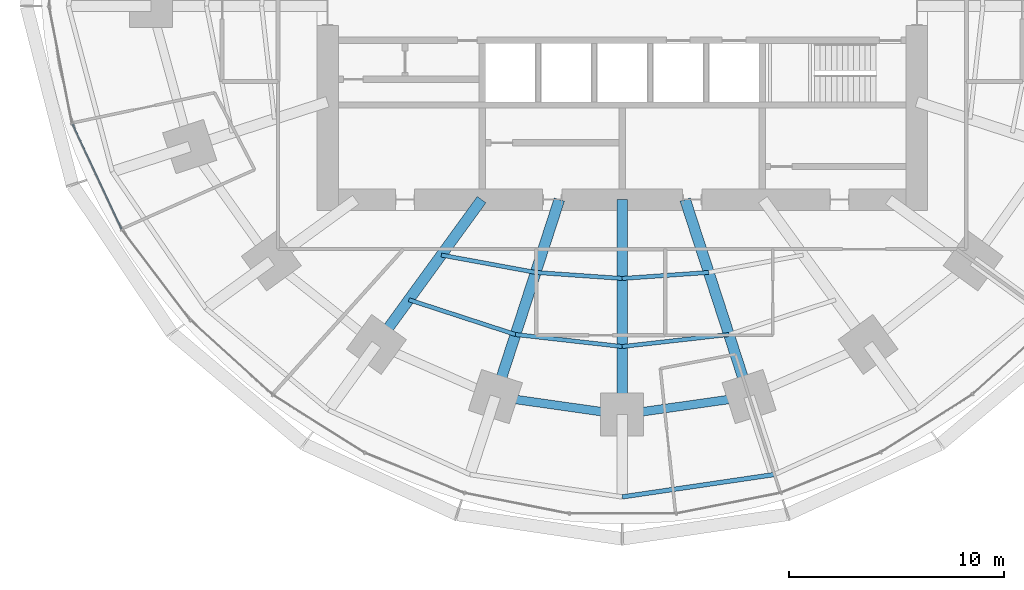
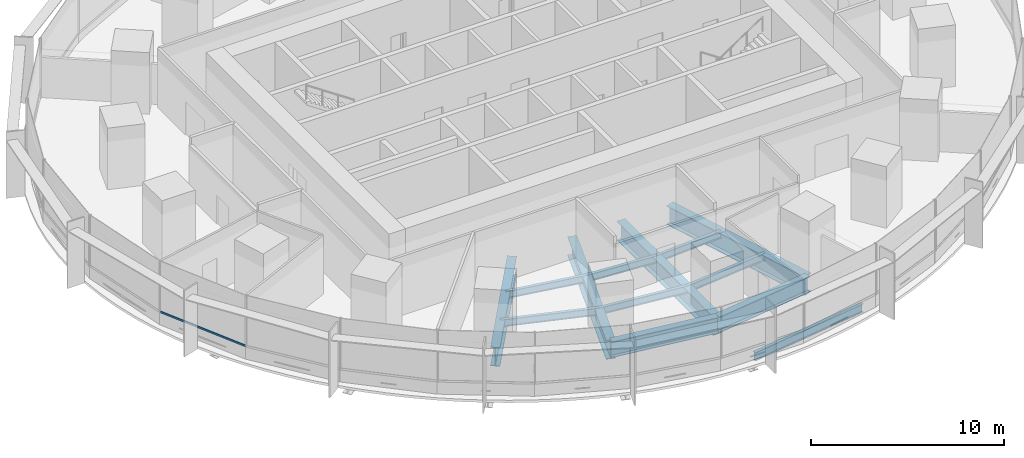
# One storey, part 3 of 15: 13 beams, 1 member, 1 element without a shape of its own.
"""IFC4 building model written with IfcOpenShell, lengths in metres."""

from ifc_helpers import new_model, si_unit, direction, frame, origin, origin_2d, place, context, subcontext, project, spatial, rectangle, i_section, extrude, material, material_profile, profile_set, type_object, element, aggregate, save


model = new_model("IFC4")

# Units and contexts
model_context = context("Model", 3, precision=1e-05, world=origin(), true_north=direction((0.0, 1.0)))
body_context = subcontext(model_context, "Body", "Model", "MODEL_VIEW")
ifc_project = project(units=[si_unit("LENGTHUNIT", "METRE"), si_unit("AREAUNIT", "SQUARE_METRE"), si_unit("VOLUMEUNIT", "CUBIC_METRE"), si_unit("PLANEANGLEUNIT", "RADIAN"), si_unit("MASSUNIT", "GRAM", prefix="KILO")], contexts=[model_context])

# Site, building, storey
site_placement = place(None, origin())
site = spatial("IfcSite", under=ifc_project, at=site_placement, CompositionType="ELEMENT")
building_placement = place(site_placement, origin())
building = spatial("IfcBuilding", under=site, at=building_placement, Name="Marramba Exchange Tower", CompositionType="ELEMENT")
storey_placement = place(building_placement, frame((0.0, 0.0, 70.0)))
storey = spatial("IfcBuildingStorey", under=building, at=storey_placement, Name="L16", CompositionType="ELEMENT", Elevation=70.0)

# Beams
ifc_material_1 = material(Name="Steel AS/NZS 3679.1 grade 300", Category="steel")
ifc_material_profile_1 = material_profile(ifc_material_1, i_section(OverallWidth=0.18994140625, OverallDepth=0.4541015625, WebThickness=0.008544921875, FlangeThickness=0.0126953125, FilletRadius=0.011474609375, at=origin_2d()), Name="460UB67.1")
ifc_profile_set_1 = profile_set([ifc_material_profile_1], Name="Steel AS/NZS 3679.1 grade 300")
beam_type_1 = type_object("IfcBeamType", Name="Floor joist 460UB67.1", PredefinedType="JOIST", material=ifc_profile_set_1)
beam_1_placement = place(storey_placement, frame((-8.41162109375, -11.57763671875, -0.386962890625), z_axis=(0.983455754421, -0.181148500119, 0.0), x_axis=(0.181148500119, 0.983455754421, 0.0)))
element("IfcBeam", 1, at=beam_1_placement, inside=storey, type_object=beam_type_1, Name="Joist L16 bay 14 row 1", PredefinedType="JOIST", context=body_context, shape_type="SweptSolid", body=[
    extrude(i_section(OverallWidth=0.18994140625, OverallDepth=0.4541015625, WebThickness=0.008544921875, FlangeThickness=0.0126953125, FilletRadius=0.011474609375, at=origin_2d()), origin(), (0.0, 0.0, 1.0), 4.4609375),
])
beam_2_placement = place(storey_placement, frame((-9.9208984375, -13.655029296875, -0.386962890625), z_axis=(0.950764024931, -0.309915744834, 0.0), x_axis=(0.309915744834, 0.950764024931, 0.0)))
element("IfcBeam", 2, at=beam_2_placement, inside=storey, type_object=beam_type_1, Name="Joist L16 bay 14 row 2", PredefinedType="JOIST", context=body_context, shape_type="SweptSolid", body=[
    extrude(i_section(OverallWidth=0.18994140625, OverallDepth=0.4541015625, WebThickness=0.008544921875, FlangeThickness=0.0126953125, FilletRadius=0.011474609375, at=origin_2d()), origin(), (0.0, 0.0, 1.0), 5.2158203125),
])
beam_3_placement = place(storey_placement, frame((-4.0244140625, -12.3857421875, -0.386962890625), z_axis=(0.99759625901, -0.069294328838, 0.0), x_axis=(0.069294328838, 0.99759625901, 0.0)))
element("IfcBeam", 3, at=beam_3_placement, inside=storey, type_object=beam_type_1, Name="Joist L16 bay 15 row 1", PredefinedType="JOIST", context=body_context, shape_type="SweptSolid", body=[
    extrude(i_section(OverallWidth=0.18994140625, OverallDepth=0.4541015625, WebThickness=0.008544921875, FlangeThickness=0.0126953125, FilletRadius=0.011474609375, at=origin_2d()), origin(), (0.0, 0.0, 1.0), 4.0341796875),
])
beam_4_placement = place(storey_placement, frame((-4.9619140625, -15.271484375, -0.386962890625), z_axis=(0.993712018573, -0.111966174106, 0.0), x_axis=(0.111966174106, 0.993712018573, 0.0)))
element("IfcBeam", 4, at=beam_4_placement, inside=storey, type_object=beam_type_1, Name="Joist L16 bay 15 row 2", PredefinedType="JOIST", context=body_context, shape_type="SweptSolid", body=[
    extrude(i_section(OverallWidth=0.18994140625, OverallDepth=0.4541015625, WebThickness=0.008544921875, FlangeThickness=0.0126953125, FilletRadius=0.011474609375, at=origin_2d()), origin(), (0.0, 0.0, 1.0), 4.993408203125),
])
beam_5_placement = place(storey_placement, frame((0.0, -12.665283203125, -0.386962890625), z_axis=(0.99759625901, 0.069294328838, 0.0), x_axis=(-0.069294328838, 0.99759625901, 0.0)))
element("IfcBeam", 5, at=beam_5_placement, inside=storey, type_object=beam_type_1, Name="Joist L16 bay 16 row 1", PredefinedType="JOIST", context=body_context, shape_type="SweptSolid", body=[
    extrude(i_section(OverallWidth=0.18994140625, OverallDepth=0.4541015625, WebThickness=0.008544921875, FlangeThickness=0.0126953125, FilletRadius=0.011474609375, at=origin_2d()), origin(), (0.0, 0.0, 1.0), 4.0341796875),
])
beam_6_placement = place(storey_placement, frame((0.0, -15.83056640625, -0.386962890625), z_axis=(0.993712018573, 0.111966174106, 0.0), x_axis=(-0.111966174106, 0.993712018573, 0.0)))
element("IfcBeam", 6, at=beam_6_placement, inside=storey, type_object=beam_type_1, Name="Joist L16 bay 16 row 2", PredefinedType="JOIST", context=body_context, shape_type="SweptSolid", body=[
    extrude(i_section(OverallWidth=0.18994140625, OverallDepth=0.4541015625, WebThickness=0.008544921875, FlangeThickness=0.0126953125, FilletRadius=0.011474609375, at=origin_2d()), origin(), (0.0, 0.0, 1.0), 4.993408203125),
])
ifc_material_2 = material(Name="Steel AS/NZS 3679.2 grade 300", Category="steel")
ifc_material_profile_2 = material_profile(ifc_material_2, i_section(OverallWidth=0.5, OverallDepth=1.199951171875, WebThickness=0.01611328125, FlangeThickness=0.0400390625, at=origin_2d()), Name="1200WB455")
ifc_profile_set_2 = profile_set([ifc_material_profile_2], Name="Steel AS/NZS 3679.2 grade 300")
beam_type_2 = type_object("IfcBeamType", Name="Radial girder 1200WB455", PredefinedType="BEAM", material=ifc_profile_set_2)
beam_7_placement = place(storey_placement, frame((-6.538818359375, -9.0, -0.760009765625), z_axis=(-0.587787877172, -0.809015087282, 0.0), x_axis=(0.809015087282, -0.587787877172, 0.0)))
element("IfcBeam", 7, at=beam_7_placement, inside=storey, type_object=beam_type_2, Name="Radial girder L16 TC14", PredefinedType="BEAM", context=body_context, shape_type="SweptSolid", body=[
    extrude(i_section(OverallWidth=0.5, OverallDepth=1.199951171875, WebThickness=0.01611328125, FlangeThickness=0.0400390625, at=origin_2d()), origin(), (0.0, 0.0, 1.0), 8.322021484375),
])
beam_8_placement = place(storey_placement, frame((-2.92431640625, -9.0, -0.760009765625), z_axis=(-0.309022428985, -0.951054750466, 0.0), x_axis=(0.951054750466, -0.309022428985, 0.0)))
element("IfcBeam", 8, at=beam_8_placement, inside=storey, type_object=beam_type_2, Name="Radial girder L16 TC15", PredefinedType="BEAM", context=body_context, shape_type="SweptSolid", body=[
    extrude(i_section(OverallWidth=0.5, OverallDepth=1.199951171875, WebThickness=0.01611328125, FlangeThickness=0.0400390625, at=origin_2d()), origin(), (0.0, 0.0, 1.0), 9.628173828125),
])
beam_9_placement = place(storey_placement, frame((0.0, -9.0, -0.760009765625), z_axis=(0.0, -1.0, 0.0), x_axis=(1.0, 0.0, 0.0)))
element("IfcBeam", 9, at=beam_9_placement, inside=storey, type_object=beam_type_2, Name="Radial girder L16 TC16", PredefinedType="BEAM", context=body_context, shape_type="SweptSolid", body=[
    extrude(i_section(OverallWidth=0.5, OverallDepth=1.199951171875, WebThickness=0.01611328125, FlangeThickness=0.0400390625, at=origin_2d()), origin(), (0.0, 0.0, 1.0), 9.99609375),
])
beam_10_placement = place(storey_placement, frame((2.92431640625, -9.0, -0.760009765625), z_axis=(0.309022428985, -0.951054750466, 0.0), x_axis=(0.951054750466, 0.309022428985, 0.0)))
element("IfcBeam", 10, at=beam_10_placement, inside=storey, type_object=beam_type_2, Name="Radial girder L16 TC17", PredefinedType="BEAM", context=body_context, shape_type="SweptSolid", body=[
    extrude(i_section(OverallWidth=0.5, OverallDepth=1.199951171875, WebThickness=0.01611328125, FlangeThickness=0.0400390625, at=origin_2d()), origin(), (0.0, 0.0, 1.0), 9.628173828125),
])
ifc_material_profile_3 = material_profile(ifc_material_2, i_section(OverallWidth=0.39990234375, OverallDepth=1.0, WebThickness=0.01611328125, FlangeThickness=0.031982421875, at=origin_2d()), Name="1000WB322")
ifc_profile_set_3 = profile_set([ifc_material_profile_3], Name="Steel AS/NZS 3679.2 grade 300")
beam_type_3 = type_object("IfcBeamType", Name="Ring beam 1000WB322", PredefinedType="SPANDREL", material=ifc_profile_set_3)
for number, where, z_axis, x_axis, name in (
    (11, (-5.899658203125, -18.156982421875, -0.659912109375), (0.990036163016, -0.140813337152, 0.0), (0.140813337152, 0.990036163016, 0.0), "Ring beam L16 TC15-TC16"),
    (12, (0.0, -18.99609375, -0.659912109375), (0.990036163016, 0.140813337152, 0.0), (-0.140813337152, 0.990036163016, 0.0), "Ring beam L16 TC16-TC17"),
):
    element("IfcBeam", number, at=place(storey_placement, frame(where, z_axis=z_axis, x_axis=x_axis)), inside=storey, type_object=beam_type_3, Name=name, PredefinedType="SPANDREL", context=body_context, shape_type="SweptSolid", body=[
        extrude(i_section(OverallWidth=0.39990234375, OverallDepth=1.0, WebThickness=0.01611328125, FlangeThickness=0.031982421875, at=origin_2d()), origin(), (0.0, 0.0, 1.0), 5.958984375),
    ])
ifc_material_profile_4 = material_profile(ifc_material_1, i_section(OverallWidth=0.208984375, OverallDepth=0.528076171875, WebThickness=0.009521484375, FlangeThickness=0.01318359375, FilletRadius=0.013916015625, at=origin_2d()), Name="530UB82.0")
ifc_profile_set_4 = profile_set([ifc_material_profile_4], Name="Steel AS/NZS 3679.1 grade 300")
beam_type_4 = type_object("IfcBeamType", Name="Slab edge beam 530UB82.0", PredefinedType="SPANDREL", material=ifc_profile_set_4)
beam_11_placement = place(storey_placement, frame((0.0, -22.822021484375, -0.424072265625), z_axis=(0.989338462178, 0.145634498848, 0.0), x_axis=(-0.145634498848, 0.989338462178, 0.0)))
element("IfcBeam", 13, at=beam_11_placement, inside=storey, type_object=beam_type_4, Name="Slab edge beam L16 TC16-TC17", PredefinedType="SPANDREL", context=body_context, shape_type="SweptSolid", body=[
    extrude(i_section(OverallWidth=0.208984375, OverallDepth=0.528076171875, WebThickness=0.009521484375, FlangeThickness=0.01318359375, FilletRadius=0.013916015625, at=origin_2d()), origin(), (0.0, 0.0, 1.0), 7.153076171875),
])

# Curtain wall, member
ifc_material_3 = material(Name="Aluminium framing, bronze anodised", Category="aluminium")
curtain_wall_type = type_object("IfcCurtainWallType", Name="Trading floor ribbon curtain wall", PredefinedType="USERDEFINED", material=ifc_material_3)
curtain_wall_placement = place(storey_placement, origin())
curtain_wall = element("IfcCurtainWall", 14, at=curtain_wall_placement, inside=storey, type_object=curtain_wall_type, Name="Curtain wall CW3 L16 F16-F20", ObjectType="RIBBON CURTAIN WALL", PredefinedType="USERDEFINED")
ifc_material_4 = material(Name="Aluminium transom, bronze anodised", Category="aluminium")
ifc_material_profile_5 = material_profile(ifc_material_4, rectangle(XDim=0.06005859375, YDim=0.1201171875, at=origin_2d()), Name="CW3 transom 60x120")
ifc_profile_set_5 = profile_set([ifc_material_profile_5], Name="Aluminium transom, bronze anodised")
member_type = type_object("IfcMemberType", Name="Trading floor ribbon curtain wall transom", PredefinedType="USERDEFINED", material=ifc_profile_set_5)
member_placement = place(storey_placement, frame((-25.559326171875, -5.492431640625, 0.830078125), z_axis=(0.423494101671, -0.905898860718, 0.0), x_axis=(0.905898860718, 0.423494101671, 0.0)))
member = element("IfcMember", 15, at=member_placement, type_object=member_type, Name="CW3 sill transom", ObjectType="TRANSOM", PredefinedType="USERDEFINED", context=body_context, shape_type="SweptSolid", body=[
    extrude(rectangle(XDim=0.06005859375, YDim=0.1201171875, at=origin_2d()), origin(), (0.0, 0.0, 1.0), 5.379150390625),
])
aggregate(curtain_wall, [member])

save(model, "model.ifc")
